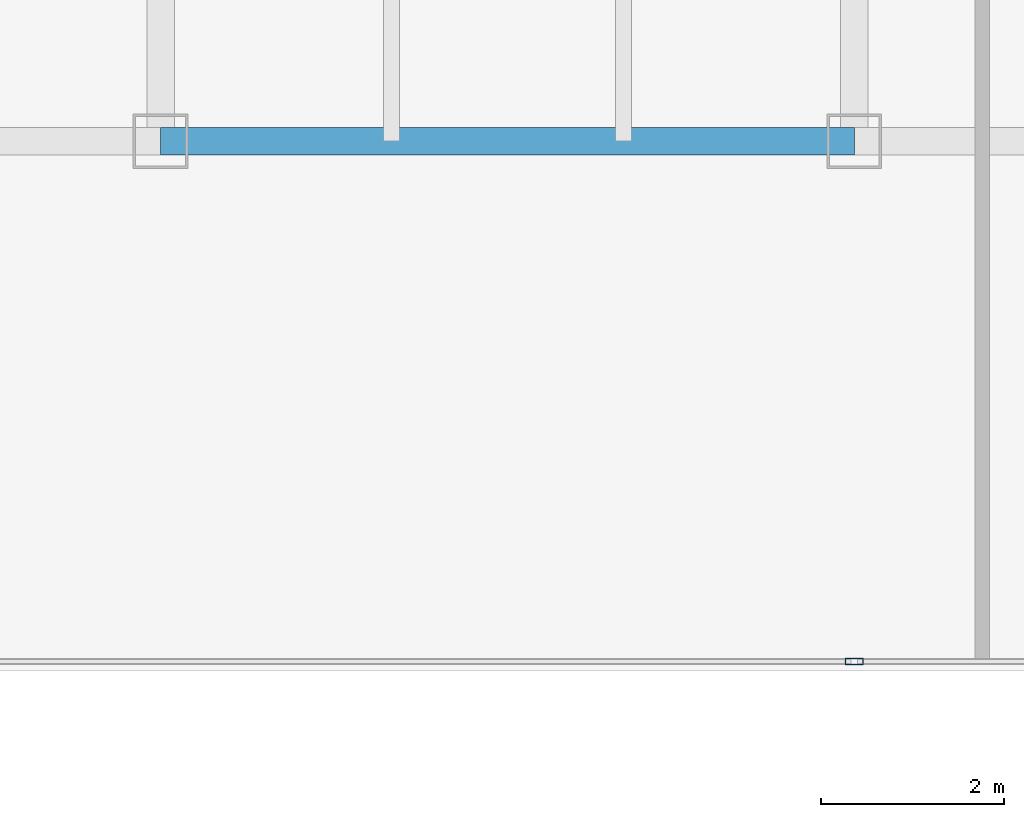
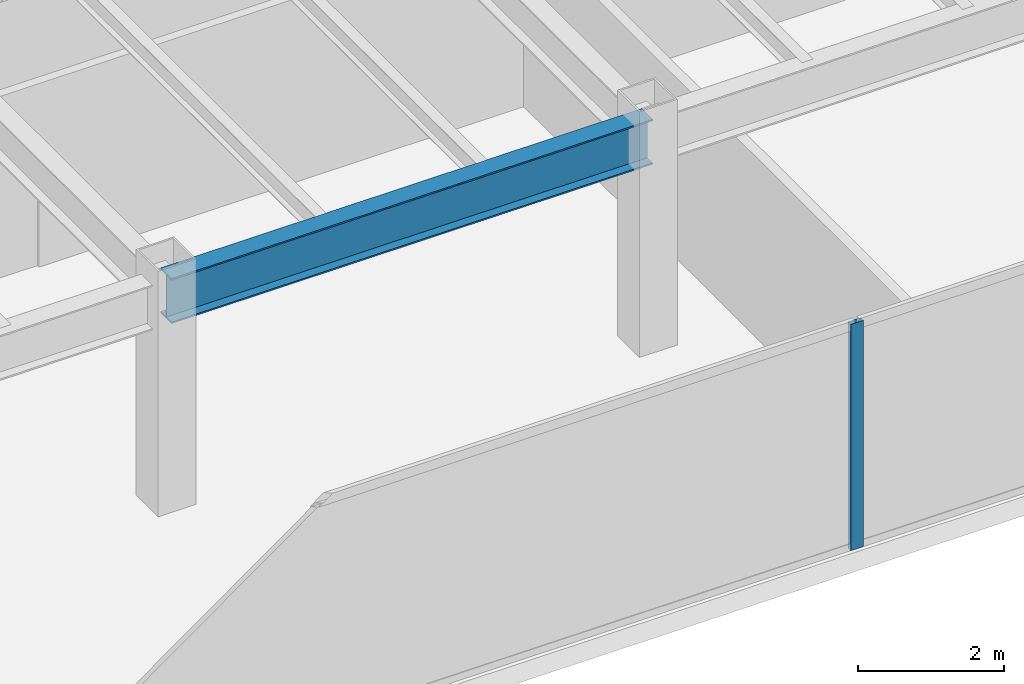
# One storey, part 8 of 35: 1 beam, 1 member, 1 element without a shape of its own.
"""IFC4 building model written with IfcOpenShell, lengths in metres."""

from ifc_helpers import new_model, si_unit, direction, frame, origin, origin_2d, place, context, subcontext, project, spatial, hollow_rectangle, i_section, extrude, source, transform, mapped, material, layer, layer_set, material_profile, profile_set, type_object, type_shapes, element, aggregate, save


model = new_model("IFC4")

# Units and contexts
model_context = context("Model", 3, precision=1e-05, world=origin(), true_north=direction((0.0, 1.0)))
body_context = subcontext(model_context, "Body", "Model", "MODEL_VIEW")
ifc_project = project(units=[si_unit("LENGTHUNIT", "METRE"), si_unit("AREAUNIT", "SQUARE_METRE"), si_unit("VOLUMEUNIT", "CUBIC_METRE"), si_unit("PLANEANGLEUNIT", "RADIAN"), si_unit("MASSUNIT", "GRAM", prefix="KILO")], contexts=[model_context])

# Site, building, storey
site_placement = place(None, origin())
site = spatial("IfcSite", under=ifc_project, at=site_placement, CompositionType="ELEMENT")
building_placement = place(site_placement, origin())
building = spatial("IfcBuilding", under=site, at=building_placement, Name="Haelvirn Gate Laboratories", CompositionType="ELEMENT")
storey_placement = place(building_placement, frame((0.0, 0.0, 45.699951171875)))
storey = spatial("IfcBuildingStorey", under=building, at=storey_placement, Name="L11", CompositionType="ELEMENT", Elevation=45.699951171875)

# Beam
ifc_material_1 = material(Name="Steel SM355", Category="steel")
ifc_material_profile_1 = material_profile(ifc_material_1, i_section(OverallWidth=0.300048828125, OverallDepth=0.75, WebThickness=0.013916015625, FlangeThickness=0.02392578125, at=origin_2d()), Name="H-750x300x14x24")
ifc_profile_set_1 = profile_set([ifc_material_profile_1], Name="Steel SM355")
beam_type = type_object("IfcBeamType", Name="BM-G-750", PredefinedType="BEAM", material=ifc_profile_set_1)
shared_shape_1 = source(origin(), body_context, "Body", "SweptSolid", [
    extrude(i_section(OverallWidth=0.300048828125, OverallDepth=0.75, WebThickness=0.013916015625, FlangeThickness=0.02392578125, at=origin_2d()), origin(), (0.0, 0.0, 1.0), 7.599853515625),
])
type_shapes(beam_type, [shared_shape_1])
beam_placement = place(storey_placement, frame((29.800048828125, 7.0, 3.405029296875), z_axis=(1.0, 0.0, 0.0), x_axis=(0.0, 1.0, 0.0)))
element("IfcBeam", 1, at=beam_placement, inside=storey, type_object=beam_type, Name="L11 Primary Girder Y7.0 (29.8-37.4)", PredefinedType="BEAM", context=body_context, shape_type="MappedRepresentation", body=[
    mapped(shared_shape_1, transform((0.0, 0.0, 0.0), scale=1.0)),
])

# Curtain wall, member
ifc_material_2 = material(Name="Anodised bronze unitised aluminium & triple low-E glass", Category="aluminium")
ifc_layer = layer(ifc_material_2, 0.18408203125, Name="CW-SYS-2")
ifc_layer_set = layer_set([ifc_layer], Name="Anodised bronze unitised aluminium & triple low-E glass")
curtain_wall_type = type_object("IfcCurtainWallType", Name="CW-SYS-2", PredefinedType="NOTDEFINED", material=ifc_layer_set)
curtain_wall_placement = place(storey_placement, origin())
curtain_wall = element("IfcCurtainWall", 2, at=curtain_wall_placement, inside=storey, type_object=curtain_wall_type, Name="L11 Unitised Curtain Wall CW-L11-P0-E02-1", PredefinedType="NOTDEFINED")
ifc_material_3 = material(Name="Extruded aluminium 6063-T6 (anodised bronze)", Category="aluminium")
ifc_material_profile_2 = material_profile(ifc_material_3, hollow_rectangle(XDim=0.074951171875, YDim=0.199951171875, WallThickness=0.0048828125, at=origin_2d()), Name="CWM-200x75x5")
ifc_profile_set_2 = profile_set([ifc_material_profile_2], Name="Extruded aluminium 6063-T6 (anodised bronze)")
member_type = type_object("IfcMemberType", Name="CWM-T200", PredefinedType="MULLION", material=ifc_profile_set_2)
shared_shape_2 = source(origin(), body_context, "Body", "SweptSolid", [
    extrude(hollow_rectangle(XDim=0.074951171875, YDim=0.199951171875, WallThickness=0.0048828125, at=origin_2d()), origin(), (0.0, 0.0, 1.0), 3.780029296875),
])
type_shapes(member_type, [shared_shape_2])
member_placement = place(storey_placement, frame((37.39990234375, 1.300048828125, 0.0), z_axis=(0.0, 0.0, 1.0), x_axis=(0.0, 1.0, 0.0)))
member = element("IfcMember", 3, at=member_placement, type_object=member_type, Name="CW2 mullion 2", PredefinedType="MULLION", context=body_context, shape_type="MappedRepresentation", body=[
    mapped(shared_shape_2, transform((0.0, 0.0, 0.0), scale=1.0)),
])
aggregate(curtain_wall, [member])

save(model, "model.ifc")
